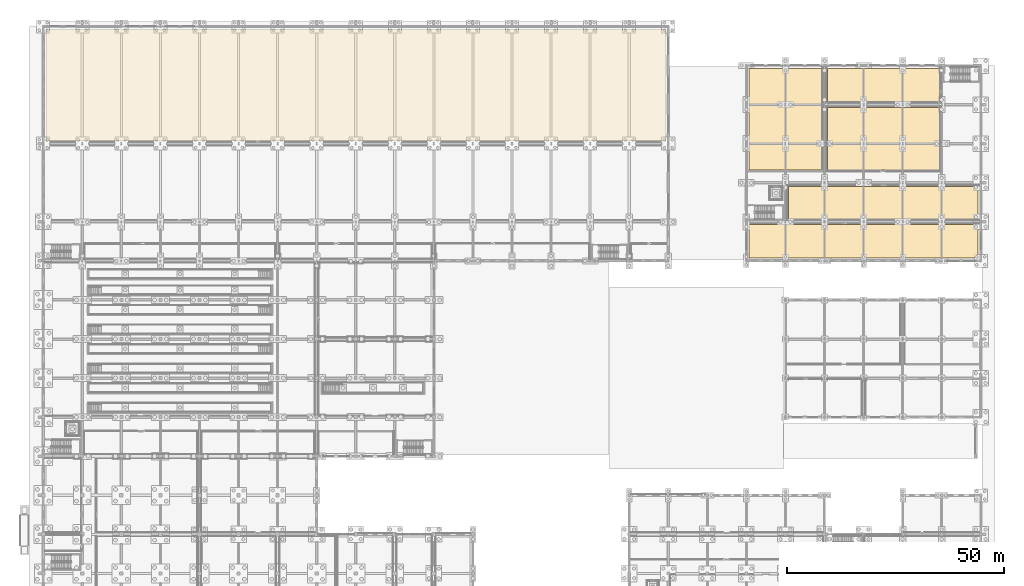
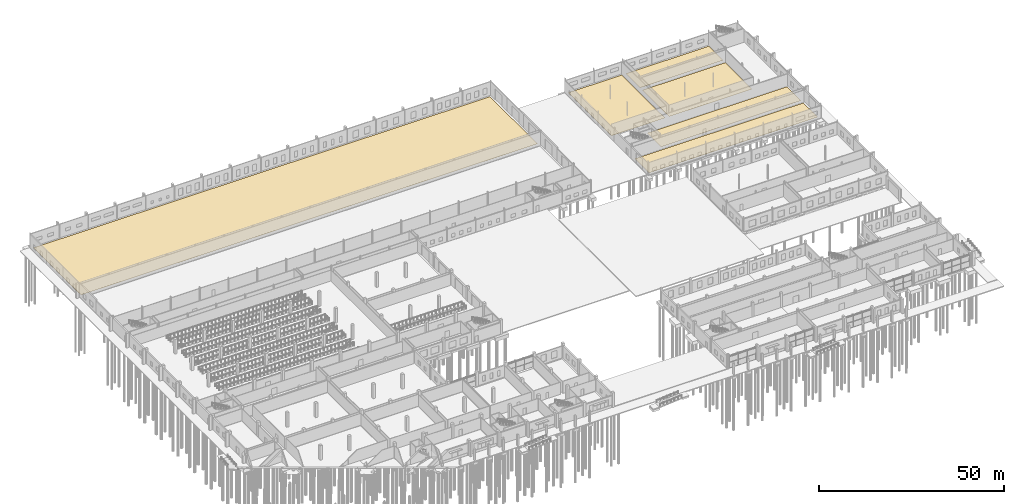
# One storey, part 110 of 112: 6 coverings.
"""IFC4 building model written with IfcOpenShell, lengths in metres."""

from ifc_helpers import new_model, si_unit, direction, origin, place, context, subcontext, project, spatial, polyline, outline, extrude, material, layer, layer_set, type_object, element, save


model = new_model("IFC4")

# Units and contexts
model_context = context("Model", 3, precision=1e-05, world=origin(), true_north=direction((0.0, 1.0)))
body_context = subcontext(model_context, "Body", "Model", "MODEL_VIEW")
ifc_project = project(units=[si_unit("LENGTHUNIT", "METRE"), si_unit("AREAUNIT", "SQUARE_METRE"), si_unit("VOLUMEUNIT", "CUBIC_METRE"), si_unit("PLANEANGLEUNIT", "RADIAN"), si_unit("MASSUNIT", "GRAM", prefix="KILO")], contexts=[model_context])

# Site, building, storey
site_placement = place(None, origin())
site = spatial("IfcSite", under=ifc_project, at=site_placement, CompositionType="ELEMENT")
building_placement = place(site_placement, origin())
building = spatial("IfcBuilding", under=site, at=building_placement, Name="Tharagai Park Tramway Depot", CompositionType="ELEMENT")
storey_placement = place(building_placement, origin())
storey = spatial("IfcBuildingStorey", under=building, at=storey_placement, Name="L00", CompositionType="ELEMENT", Elevation=0.0)

# Coverings
ifc_material = material(Name="Epoxy industrial flooring", Category="plastic")
ifc_layer = layer(ifc_material, 0.014892578125)
ifc_layer_set = layer_set([ifc_layer], Name="Epoxy industrial flooring")
covering_type = type_object("IfcCoveringType", Name="FN-03", PredefinedType="FLOORING", material=ifc_layer_set)
covering_1_placement = place(storey_placement, origin())
element("IfcCovering", 1, at=covering_1_placement, inside=storey, type_object=covering_type, Name="Depot Stabling Shed North Tracks Floor Finish", PredefinedType="FLOORING", context=body_context, shape_type="SweptSolid", body=[
    extrude(outline(polyline([(0.64990234375, 117.64990234375), (143.35009765625, 117.64990234375), (143.35009765625, 143.35009765625), (0.64990234375, 143.35009765625), (0.64990234375, 117.64990234375)])), origin(), (0.0, 0.0, 1.0), 0.014892578125),
])
covering_2_placement = place(storey_placement, origin())
element("IfcCovering", 2, at=covering_2_placement, inside=storey, type_object=covering_type, Name="Automated Tram and Bus Washing Plant Floor Finish", PredefinedType="FLOORING", context=body_context, shape_type="SweptSolid", body=[
    extrude(outline(polyline([(162.64990234375, 90.64990234375), (215.35009765625, 90.64990234375), (215.35009765625, 98.35009765625), (162.64990234375, 98.35009765625), (162.64990234375, 90.64990234375)])), origin(), (0.0, 0.0, 1.0), 0.014892578125),
])
covering_3_placement = place(storey_placement, origin())
element("IfcCovering", 3, at=covering_3_placement, inside=storey, type_object=covering_type, Name="Wash Booster Pump Room Floor Finish", PredefinedType="FLOORING", context=body_context, shape_type="SweptSolid", body=[
    extrude(outline(polyline([(171.64990234375, 99.64990234375), (215.35009765625, 99.64990234375), (215.35009765625, 107.14990234375), (171.64990234375, 107.14990234375), (171.64990234375, 99.64990234375)])), origin(), (0.0, 0.0, 1.0), 0.014892578125),
])
covering_4_placement = place(storey_placement, origin())
element("IfcCovering", 4, at=covering_4_placement, inside=storey, type_object=covering_type, Name="Chassis Wash Dryer and Blower Hall Floor Finish", PredefinedType="FLOORING", context=body_context, shape_type="SweptSolid", body=[
    extrude(outline(polyline([(162.64990234375, 110.949951171875), (179.35009765625, 110.949951171875), (179.35009765625, 134.35009765625), (162.64990234375, 134.35009765625), (162.64990234375, 110.949951171875)])), origin(), (0.0, 0.0, 1.0), 0.014892578125),
])
covering_5_placement = place(storey_placement, origin())
element("IfcCovering", 5, at=covering_5_placement, inside=storey, type_object=covering_type, Name="Effluent Water-Reclamation Plant Floor Finish", PredefinedType="FLOORING", context=body_context, shape_type="SweptSolid", body=[
    extrude(outline(polyline([(180.64990234375, 110.949951171875), (206.550048828125, 110.949951171875), (206.550048828125, 125.35009765625), (180.64990234375, 125.35009765625), (180.64990234375, 110.949951171875)])), origin(), (0.0, 0.0, 1.0), 0.014892578125),
])
covering_6_placement = place(storey_placement, origin())
element("IfcCovering", 6, at=covering_6_placement, inside=storey, type_object=covering_type, Name="Detergent Dosing and Sludge Dewatering Store Floor Finish", PredefinedType="FLOORING", context=body_context, shape_type="SweptSolid", body=[
    extrude(outline(polyline([(180.64990234375, 126.64990234375), (206.550048828125, 126.64990234375), (206.550048828125, 134.35009765625), (180.64990234375, 134.35009765625), (180.64990234375, 126.64990234375)])), origin(), (0.0, 0.0, 1.0), 0.014892578125),
])

save(model, "model.ifc")
